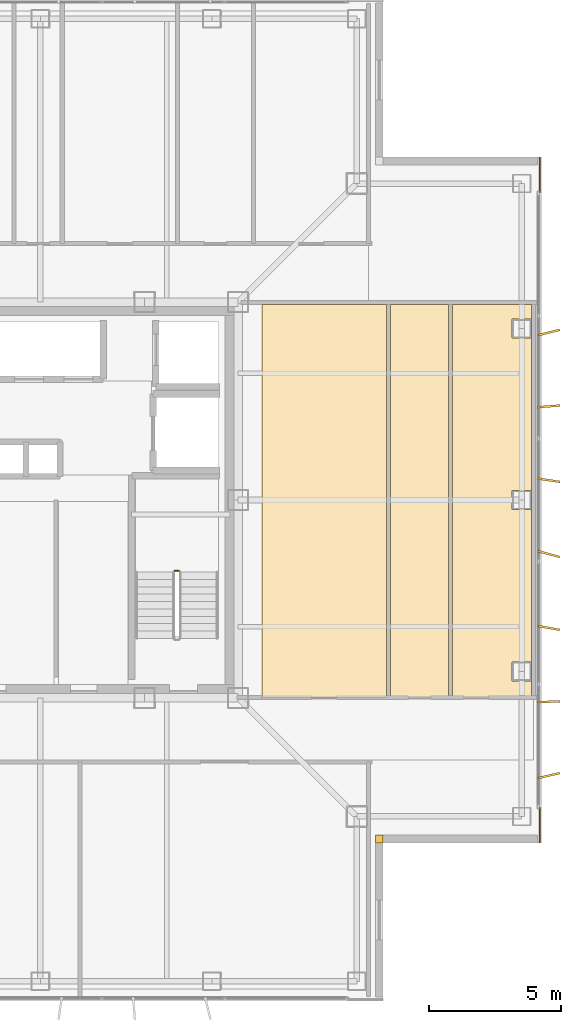
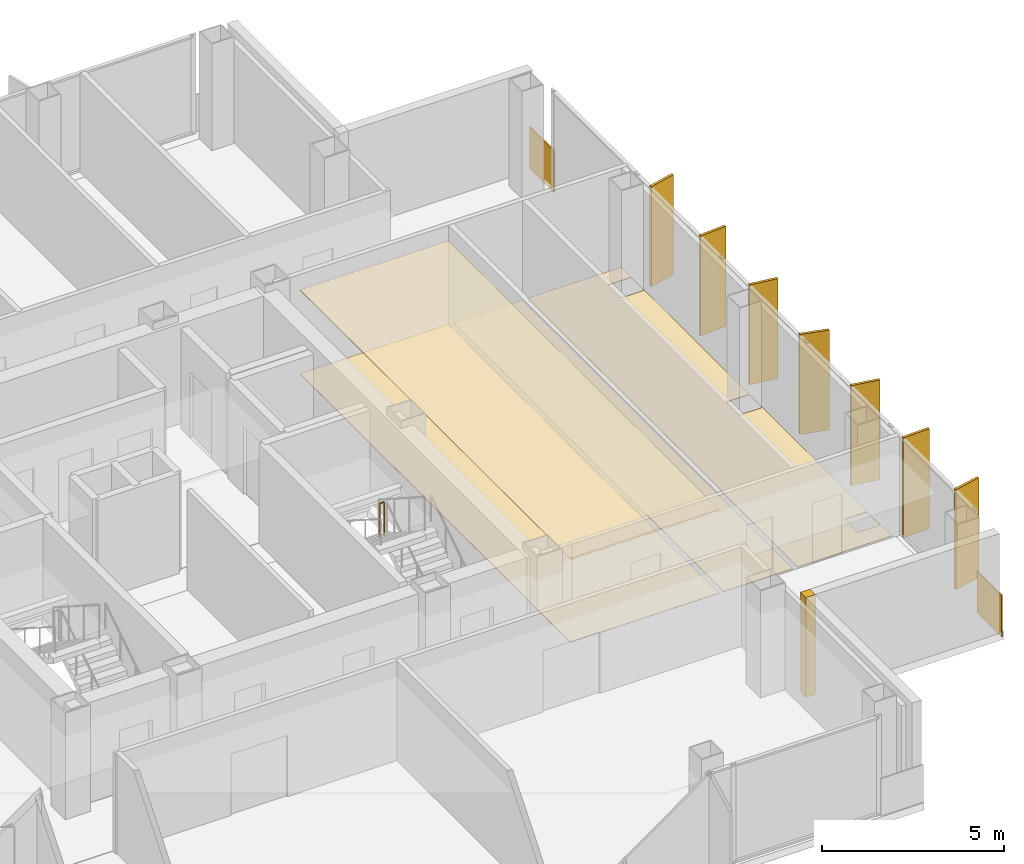
# One storey, part 14 of 15: 7 coverings, 7 shading devices, 1 railing.
"""IFC4 building model written with IfcOpenShell, lengths in metres."""

from ifc_helpers import new_model, si_unit, direction, frame, frame_2d, origin, origin_2d, place, context, subcontext, project, spatial, polyline, rectangle, circle, outline, extrude, material, layer, layer_set, type_object, element, save


model = new_model("IFC4")

# Units and contexts
model_context = context("Model", 3, precision=1e-05, world=origin(), true_north=direction((0.0, 1.0)))
body_context = subcontext(model_context, "Body", "Model", "MODEL_VIEW")
ifc_project = project(units=[si_unit("LENGTHUNIT", "METRE"), si_unit("AREAUNIT", "SQUARE_METRE"), si_unit("VOLUMEUNIT", "CUBIC_METRE"), si_unit("PLANEANGLEUNIT", "RADIAN"), si_unit("MASSUNIT", "GRAM", prefix="KILO")], contexts=[model_context])

# Site, building, storey
site_placement = place(None, origin())
site = spatial("IfcSite", under=ifc_project, at=site_placement, CompositionType="ELEMENT")
building_placement = place(site_placement, origin())
building = spatial("IfcBuilding", under=site, at=building_placement, Name="Trevonay Congress Spire", CompositionType="ELEMENT")
storey_placement = place(building_placement, frame((0.0, 0.0, 272.0)))
storey = spatial("IfcBuildingStorey", under=building, at=storey_placement, Name="L71", CompositionType="ELEMENT", Elevation=272.0)

# Coverings
ifc_material_1 = material(Name="Acoustic Mineral Fibre Board", Category="gypsum")
ifc_layer_1 = layer(ifc_material_1, 0.02490234375, Name="Acoustic Mineral Fibre Board")
ifc_layer_set_1 = layer_set([ifc_layer_1], Name="Acoustic Mineral Fibre Board")
covering_type_1 = type_object("IfcCoveringType", Name="COV-CEIL-ACOUSTIC", PredefinedType="CEILING", material=ifc_layer_set_1)
covering_1_placement = place(storey_placement, frame((0.0, 0.0, 2.81005859375)))
element("IfcCovering", 1, at=covering_1_placement, inside=storey, type_object=covering_type_1, Name="L71 Curatorial Archive Office acoustic suspended ceiling", PredefinedType="CEILING", context=body_context, shape_type="SweptSolid", body=[
    extrude(outline(polyline([(8.39990234375, -7.47998046875), (13.1201171875, -7.47998046875), (13.1201171875, 7.419921875), (8.39990234375, 7.419921875), (8.39990234375, -7.47998046875)])), origin(), (0.0, 0.0, 1.0), 0.02490234375),
])
ifc_material_2 = material(Name="Polished Granite Floor Tile", Category="masonry")
ifc_layer_2 = layer(ifc_material_2, 0.02001953125, Name="Polished Granite Floor Tile")
ifc_layer_set_2 = layer_set([ifc_layer_2], Name="Polished Granite Floor Tile")
covering_type_2 = type_object("IfcCoveringType", Name="COV-FLOOR-STONE", PredefinedType="FLOORING", material=ifc_layer_set_2)
covering_2_placement = place(storey_placement, origin())
element("IfcCovering", 2, at=covering_2_placement, inside=storey, type_object=covering_type_2, Name="L71 Male Restroom WC floor finish", PredefinedType="FLOORING", context=body_context, shape_type="SweptSolid", body=[
    extrude(outline(polyline([(13.280029296875, -7.47998046875), (15.469970703125, -7.47998046875), (15.469970703125, 7.419921875), (13.280029296875, 7.419921875), (13.280029296875, -7.47998046875)])), origin(), (0.0, 0.0, 1.0), 0.02001953125),
])
covering_3_placement = place(storey_placement, origin())
element("IfcCovering", 3, at=covering_3_placement, inside=storey, type_object=covering_type_2, Name="L71 Floor Supplies and Copy Room floor finish", PredefinedType="FLOORING", context=body_context, shape_type="SweptSolid", body=[
    extrude(outline(polyline([(15.6298828125, 7.419921875), (18.6201171875, 7.419921875), (18.6201171875, -7.47998046875), (15.6298828125, -7.47998046875), (15.6298828125, 7.419921875)]), holes=[polyline([(17.889892578125, -6.860107421875), (18.610107421875, -6.860107421875), (18.610107421875, -6.139892578125), (17.889892578125, -6.139892578125), (17.889892578125, -6.860107421875)]), polyline([(17.889892578125, 0.360107421875), (17.889892578125, -0.360107421875), (18.610107421875, -0.360107421875), (18.610107421875, 0.360107421875), (17.889892578125, 0.360107421875)]), polyline([(17.889892578125, 6.860107421875), (17.889892578125, 6.139892578125), (18.610107421875, 6.139892578125), (18.610107421875, 6.860107421875), (17.889892578125, 6.860107421875)])]), origin(), (0.0, 0.0, 1.0), 0.02001953125),
])
ifc_material_3 = material(Name="Engineered Oak Flooring", Category="wood")
ifc_layer_3 = layer(ifc_material_3, 0.01806640625, Name="Engineered Oak Flooring")
ifc_layer_set_3 = layer_set([ifc_layer_3], Name="Engineered Oak Flooring")
covering_type_3 = type_object("IfcCoveringType", Name="COV-FLOOR-TIMBER", PredefinedType="FLOORING", material=ifc_layer_set_3)
covering_4_placement = place(storey_placement, origin())
element("IfcCovering", 4, at=covering_4_placement, inside=storey, type_object=covering_type_3, Name="L71 Curatorial Archive Office floor finish", PredefinedType="FLOORING", context=body_context, shape_type="SweptSolid", body=[
    extrude(outline(polyline([(8.39990234375, -7.47998046875), (13.1201171875, -7.47998046875), (13.1201171875, 7.419921875), (8.39990234375, 7.419921875), (8.39990234375, -7.47998046875)])), origin(), (0.0, 0.0, 1.0), 0.01806640625),
])
ifc_material_4 = material(Name="Pale Anodised Aluminium EN AW-6063-T6", Category="aluminium")
ifc_layer_4 = layer(ifc_material_4, 0.0400390625, Name="Pale Anodised Aluminium EN AW-6063-T6")
ifc_layer_set_4 = layer_set([ifc_layer_4], Name="Pale Anodised Aluminium EN AW-6063-T6")
covering_type_4 = type_object("IfcCoveringType", Name="COV-SPANDREL-PALE-METAL", PredefinedType="CLADDING", material=ifc_layer_set_4)
covering_5_placement = place(storey_placement, origin())
element("IfcCovering", 5, at=covering_5_placement, inside=storey, type_object=covering_type_4, Name="L71 SE re-entrant notch corner closure trim", PredefinedType="CLADDING", context=body_context, shape_type="SweptSolid", body=[
    extrude(outline(polyline([(12.699951171875, -13.0), (13.0, -13.0), (13.0, -12.699951171875), (12.699951171875, -12.699951171875), (12.699951171875, -13.0)])), origin(), (0.0, 0.0, 1.0), 3.360107421875),
])
for number, where, z_axis, x_axis, name in (
    (6, (18.93994140625, -11.64990234375, -0.14990234375), (0.0, 0.0, 1.0), (0.0, -1.0, 0.0), "L71 SE corner pier spandrel cladding 1"),
    (7, (18.93994140625, 11.64990234375, -0.14990234375), (0.0, 0.0, 1.0), (0.0, 1.0, 0.0), "L71 NE corner pier spandrel cladding 1"),
):
    element("IfcCovering", number, at=place(storey_placement, frame(where, z_axis=z_axis, x_axis=x_axis)), inside=storey, type_object=covering_type_4, Name=name, PredefinedType="CLADDING", context=body_context, shape_type="SweptSolid", body=[
        extrude(rectangle(XDim=1.35009765625, YDim=0.0400390625, at=frame_2d((0.675048828125, 0.0))), origin(), (0.0, 0.0, 1.0), 1.39990234375),
    ])

# Railing
railing_type = type_object("IfcRailingType", Name="RAL-STAIR-GUARD-110", PredefinedType="GUARDRAIL", material=ifc_material_4)
railing_placement = place(storey_placement, frame((5.25, -2.679931640625, 1.800048828125)))
element("IfcRailing", 8, at=railing_placement, inside=storey, type_object=railing_type, Name="L71 ST-2 stair guard 2", PredefinedType="GUARDRAIL", context=body_context, shape_type="SweptSolid", body=[
    extrude(circle(Radius=0.02392578125, at=origin_2d()), frame((0.0, 0.0, 1.1259765625), z_axis=(-1.0, 0.0, 0.0), x_axis=(0.0, -1.0, 0.0)), (0.0, 0.0, 1.0), 0.14990234375),
    extrude(circle(Radius=0.02099609375, at=origin_2d()), origin(), (0.0, 0.0, 1.0), 1.101806640625),
    extrude(circle(Radius=0.02099609375, at=origin_2d()), frame((-0.14990234375, 0.0, 0.0)), (0.0, 0.0, 1.0), 1.101806640625),
])

# Shading devices
shading_device_type = type_object("IfcShadingDeviceType", Name="SHD-FIN-Z4-PALE-METAL", PredefinedType="USERDEFINED", material=ifc_material_4)
for number, where, z_axis, x_axis, name in (
    (9, (19.280029296875, -10.449951171875, 0.0), (0.0, 0.0, 1.0), (-0.224780991261, 0.97440931131, 0.0), "L71 E vertical pale-metal solar fin 1"),
    (10, (19.280029296875, -7.64990234375, 0.0), (0.0, 0.0, 1.0), (-0.039085416795, 0.999235873152, 0.0), "L71 E vertical pale-metal solar fin 2"),
    (11, (19.280029296875, -4.85009765625, 0.0), (0.0, 0.0, 1.0), (0.17708474032, 0.984195607969, 0.0), "L71 E vertical pale-metal solar fin 3"),
    (12, (19.280029296875, -2.050048828125, 0.0), (0.0, 0.0, 1.0), (0.258144638645, 0.966106280664, 0.0), "L71 E vertical pale-metal solar fin 4"),
    (13, (19.280029296875, 0.75, 0.0), (0.0, 0.0, 1.0), (0.146946275799, 0.989144474801, 0.0), "L71 E vertical pale-metal solar fin 5"),
    (14, (19.280029296875, 3.550048828125, 0.0), (0.0, 0.0, 1.0), (-0.077067060513, 0.997025911491, 0.0), "L71 E vertical pale-metal solar fin 6"),
    (15, (19.280029296875, 6.35009765625, 0.0), (0.0, 0.0, 1.0), (-0.241244442494, 0.970464383152, 0.0), "L71 E vertical pale-metal solar fin 7"),
):
    element("IfcShadingDevice", number, at=place(storey_placement, frame(where, z_axis=z_axis, x_axis=x_axis)), inside=storey, type_object=shading_device_type, Name=name, ObjectType="SOLAR FIN", PredefinedType="USERDEFINED", context=body_context, shape_type="SweptSolid", body=[
        extrude(rectangle(XDim=0.080078125, YDim=0.85009765625, at=origin_2d()), origin(), (0.0, 0.0, 1.0), 3.360107421875),
    ])

save(model, "model.ifc")
